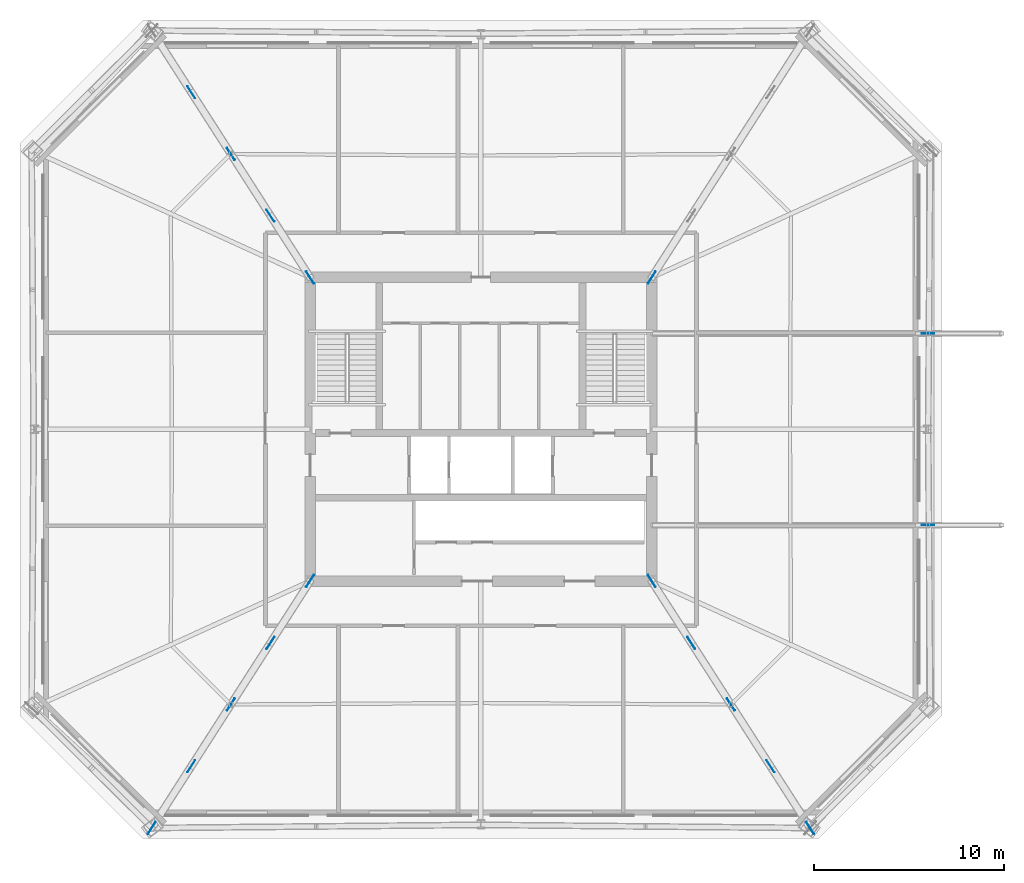
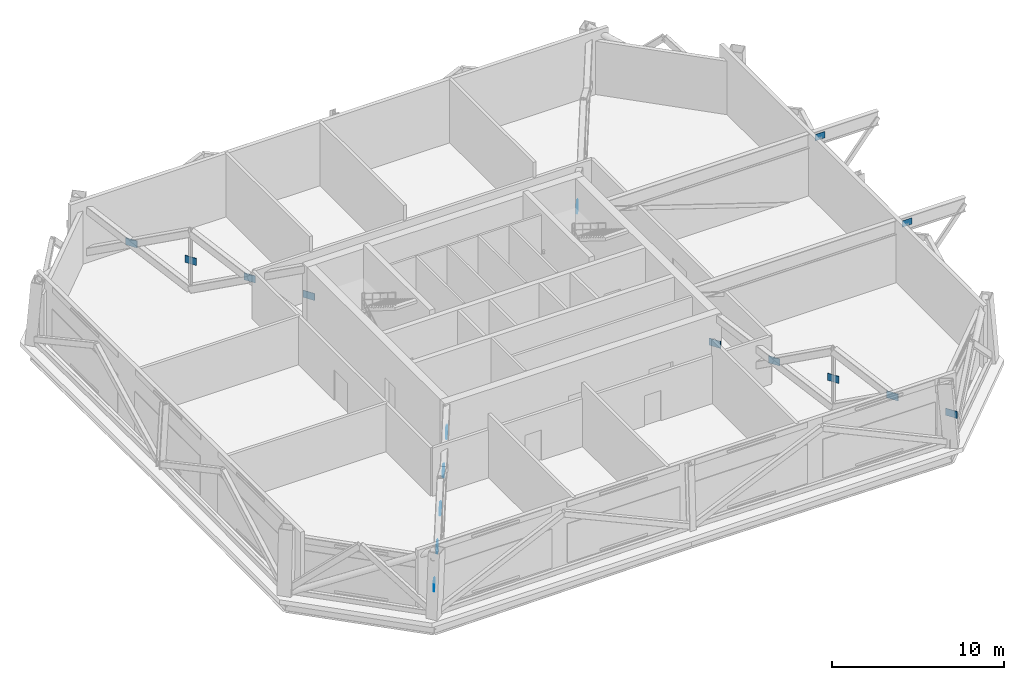
# One storey, part 10 of 15: 17 plates.
"""IFC4 building model written with IfcOpenShell, lengths in metres."""

from ifc_helpers import new_model, si_unit, direction, frame, origin, origin_2d, place, context, subcontext, project, spatial, rectangle, extrude, material, layer, layer_set, type_object, element, save


model = new_model("IFC4")

# Units and contexts
model_context = context("Model", 3, precision=1e-05, world=origin(), true_north=direction((0.0, 1.0)))
body_context = subcontext(model_context, "Body", "Model", "MODEL_VIEW")
ifc_project = project(units=[si_unit("LENGTHUNIT", "METRE"), si_unit("AREAUNIT", "SQUARE_METRE"), si_unit("VOLUMEUNIT", "CUBIC_METRE"), si_unit("PLANEANGLEUNIT", "RADIAN"), si_unit("MASSUNIT", "GRAM", prefix="KILO")], contexts=[model_context])

# Site, building, storey
site_placement = place(None, origin())
site = spatial("IfcSite", under=ifc_project, at=site_placement, CompositionType="ELEMENT")
building_placement = place(site_placement, origin())
building = spatial("IfcBuilding", under=site, at=building_placement, Name="Caelvoria Tower", CompositionType="ELEMENT")
storey_placement = place(building_placement, frame((0.0, 0.0, 167.199951171875)))
storey = spatial("IfcBuildingStorey", under=building, at=storey_placement, Name="L44", CompositionType="ELEMENT", Elevation=167.199951171875)

# Plates
ifc_material = material(Name="Structural Steel ASTM A572 Gr.50", Category="steel")
ifc_layer_1 = layer(ifc_material, 0.035888671875, Name="Structural Steel ASTM A572 Gr.50")
ifc_layer_set_1 = layer_set([ifc_layer_1], Name="Outrigger Node Gusset Plate 750x500x36 - Structural Steel ASTM A572 Gr.50")
plate_type_1 = type_object("IfcPlateType", Name="Outrigger Node Gusset Plate 750x500x36", PredefinedType="USERDEFINED", material=ifc_layer_set_1)
for number, where, z_axis, x_axis, name in (
    (1, (28.658447265625, 10.9951171875, 1.989990234375), (0.0, 0.0, 1.0), (-0.539903941972, -0.841726638193, 0.0), "Outrigger Gusset Plate END L44-SW"),
    (2, (37.0, 24.0, 1.989990234375), (0.0, 0.0, 1.0), (-0.539903941972, -0.841726638193, 0.0), "Outrigger Gusset Plate CORE L44-SW"),
    (3, (32.8291015625, 17.49755859375, 1.989990234375), (0.0, 0.0, 1.0), (-0.539903941972, -0.841726638193, 0.0), "Outrigger Gusset Plate MID L44-SW"),
    (4, (34.91455078125, 20.748779296875, 1.989990234375), (0.0, 0.0, 1.0), (-0.539903941972, -0.841726638193, 0.0), "Outrigger Gusset Plate X1 L44-SW"),
    (5, (30.743896484375, 14.246337890625, 1.989990234375), (0.0, 0.0, 1.0), (-0.539903941972, -0.841726638193, 0.0), "Outrigger Gusset Plate X2 L44-SW"),
    (6, (63.341552734375, 10.9951171875, 1.989990234375), (0.0, 0.0, 1.0), (0.539903941972, -0.841726638193, 0.0), "Outrigger Gusset Plate END L44-SE"),
    (7, (55.0, 24.0, 1.989990234375), (0.0, 0.0, 1.0), (0.539903941972, -0.841726638193, 0.0), "Outrigger Gusset Plate CORE L44-SE"),
    (8, (59.1708984375, 17.49755859375, 1.989990234375), (0.0, 0.0, 1.0), (0.539903941972, -0.841726638193, 0.0), "Outrigger Gusset Plate MID L44-SE"),
    (9, (57.08544921875, 20.748779296875, 1.989990234375), (0.0, 0.0, 1.0), (0.539903941972, -0.841726638193, 0.0), "Outrigger Gusset Plate X1 L44-SE"),
    (10, (61.256103515625, 14.246337890625, 1.989990234375), (0.0, 0.0, 1.0), (0.539903941972, -0.841726638193, 0.0), "Outrigger Gusset Plate X2 L44-SE"),
    (11, (55.0, 40.0, 1.989990234375), (0.0, 0.0, 1.0), (0.539903941972, 0.841726638193, 0.0), "Outrigger Gusset Plate CORE L44-NE"),
    (12, (37.0, 40.0, 1.989990234375), (0.0, 0.0, 1.0), (-0.539903941972, 0.841726638193, 0.0), "Outrigger Gusset Plate CORE L44-NW"),
    (13, (32.8291015625, 46.50244140625, 1.989990234375), (0.0, 0.0, 1.0), (-0.539903941972, 0.841726638193, 0.0), "Outrigger Gusset Plate MID L44-NW"),
    (14, (34.91455078125, 43.251220703125, 1.989990234375), (0.0, 0.0, 1.0), (-0.539903941972, 0.841726638193, 0.0), "Outrigger Gusset Plate X1 L44-NW"),
    (15, (30.743896484375, 49.753662109375, 1.989990234375), (0.0, 0.0, 1.0), (-0.539903941972, 0.841726638193, 0.0), "Outrigger Gusset Plate X2 L44-NW"),
):
    element("IfcPlate", number, at=place(storey_placement, frame(where, z_axis=z_axis, x_axis=x_axis)), inside=storey, type_object=plate_type_1, Name=name, ObjectType="GUSSET_PLATE", PredefinedType="USERDEFINED", context=body_context, shape_type="SweptSolid", body=[
        extrude(rectangle(XDim=0.75, YDim=0.035888671875, at=origin_2d()), origin(), (0.0, 0.0, 1.0), 0.5),
    ])
ifc_layer_2 = layer(ifc_material, 0.031982421875, Name="Structural Steel ASTM A572 Gr.50")
ifc_layer_set_2 = layer_set([ifc_layer_2], Name="Sky Pool Fulcrum Gusset Plate 650x450x32 - Structural Steel ASTM A572 Gr.50")
plate_type_2 = type_object("IfcPlateType", Name="Sky Pool Fulcrum Gusset Plate 650x450x32", PredefinedType="USERDEFINED", material=ifc_layer_set_2)
for number, where, z_axis, x_axis, name in (
    (16, (69.56005859375, 26.949951171875, 3.68994140625), (0.0, 0.0, 1.0), (1.0, 0.0, 0.0), "Sky Pool Fulcrum Gusset Plate S"),
    (17, (69.56005859375, 37.050048828125, 3.68994140625), (0.0, 0.0, 1.0), (1.0, 0.0, 0.0), "Sky Pool Fulcrum Gusset Plate N"),
):
    element("IfcPlate", number, at=place(storey_placement, frame(where, z_axis=z_axis, x_axis=x_axis)), inside=storey, type_object=plate_type_2, Name=name, ObjectType="GUSSET_PLATE", PredefinedType="USERDEFINED", context=body_context, shape_type="SweptSolid", body=[
        extrude(rectangle(XDim=0.64990234375, YDim=0.031982421875, at=origin_2d()), origin(), (0.0, 0.0, 1.0), 0.449951171875),
    ])

save(model, "model.ifc")
